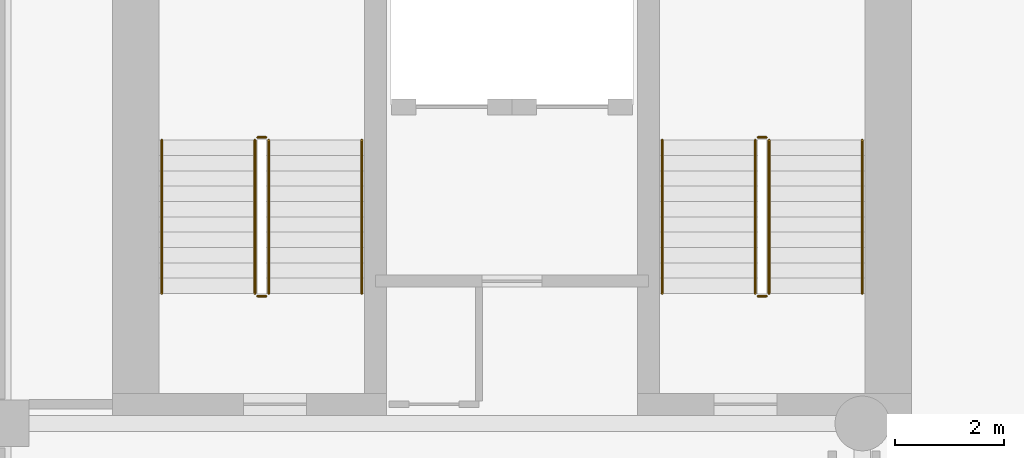
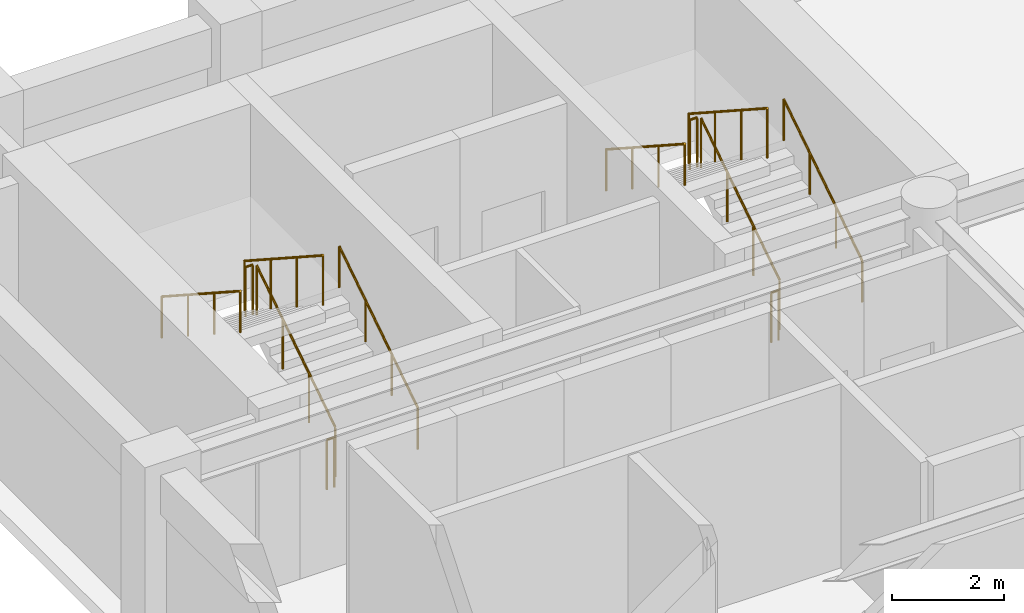
# One storey, part 7 of 8: 12 railings.
"""IFC4 building model written with IfcOpenShell, lengths in metres."""

from ifc_helpers import new_model, si_unit, direction, frame, origin, origin_2d, place, context, subcontext, project, spatial, circle, extrude, material, type_object, element, save


model = new_model("IFC4")

# Units and contexts
model_context = context("Model", 3, precision=1e-05, world=origin(), true_north=direction((0.0, 1.0)))
body_context = subcontext(model_context, "Body", "Model", "MODEL_VIEW")
ifc_project = project(units=[si_unit("LENGTHUNIT", "METRE"), si_unit("AREAUNIT", "SQUARE_METRE"), si_unit("VOLUMEUNIT", "CUBIC_METRE"), si_unit("PLANEANGLEUNIT", "RADIAN"), si_unit("MASSUNIT", "GRAM", prefix="KILO")], contexts=[model_context])

# Site, building, storey
site_placement = place(None, origin())
site = spatial("IfcSite", under=ifc_project, at=site_placement, CompositionType="ELEMENT")
building_placement = place(site_placement, origin())
building = spatial("IfcBuilding", under=site, at=building_placement, Name="Sulina Concourse Tower", CompositionType="ELEMENT")
storey_placement = place(building_placement, frame((0.0, 0.0, 128.60009765625)))
storey = spatial("IfcBuildingStorey", under=building, at=storey_placement, Name="L31", CompositionType="ELEMENT", Elevation=128.60009765625)

# Railings
ifc_material_1 = material(Name="Galvanised steel railing", Category="steel")
railing_type_1 = type_object("IfcRailingType", Name="Core Stair Steel Guardrail 1150mm", PredefinedType="GUARDRAIL", material=ifc_material_1)
railing_1_placement = place(storey_placement, frame((5.554931640625, 36.375, 0.181640625)))
element("IfcRailing", 1, at=railing_1_placement, inside=storey, type_object=railing_type_1, Name="L31 ST-1 stair guard 1", PredefinedType="GUARDRAIL", context=body_context, shape_type="SweptSolid", body=[
    extrude(circle(Radius=0.02392578125, at=origin_2d()), frame((0.0, 0.0, 1.076171875), z_axis=(0.0, 0.838672427954, 0.544636170843), x_axis=(-1.0, 0.0, 0.0)), (0.0, 0.0, 1.0), 3.338623046875),
    extrude(circle(Radius=0.02099609375, at=origin_2d()), origin(), (0.0, 0.0, 1.0), 1.052001953125),
    extrude(circle(Radius=0.02099609375, at=origin_2d()), frame((0.0, 0.933349609375, 0.606201171875)), (0.0, 0.0, 1.0), 1.052001953125),
    extrude(circle(Radius=0.02099609375, at=origin_2d()), frame((0.0, 1.86669921875, 1.212158203125)), (0.0, 0.0, 1.0), 1.052001953125),
    extrude(circle(Radius=0.02099609375, at=origin_2d()), frame((0.0, 2.800048828125, 1.818359375)), (0.0, 0.0, 1.0), 1.052001953125),
])
railing_2_placement = place(storey_placement, frame((5.5048828125, 39.22509765625, 2.0)))
element("IfcRailing", 2, at=railing_2_placement, inside=storey, type_object=railing_type_1, Name="L31 ST-1 stair guard 2", PredefinedType="GUARDRAIL", context=body_context, shape_type="SweptSolid", body=[
    extrude(circle(Radius=0.02392578125, at=origin_2d()), frame((0.0, 0.0, 1.076171875), z_axis=(-1.0, 0.0, 0.0), x_axis=(0.0, -1.0, 0.0)), (0.0, 0.0, 1.0), 0.14990234375),
    extrude(circle(Radius=0.02099609375, at=origin_2d()), origin(), (0.0, 0.0, 1.0), 1.052001953125),
    extrude(circle(Radius=0.02099609375, at=origin_2d()), frame((-0.14990234375, 0.0, 0.0)), (0.0, 0.0, 1.0), 1.052001953125),
])
railing_3_placement = place(storey_placement, frame((5.304931640625, 39.175048828125, 2.181640625)))
element("IfcRailing", 3, at=railing_3_placement, inside=storey, type_object=railing_type_1, Name="L31 ST-1 stair guard 3", PredefinedType="GUARDRAIL", context=body_context, shape_type="SweptSolid", body=[
    extrude(circle(Radius=0.02392578125, at=origin_2d()), frame((0.0, 0.0, 1.076171875), z_axis=(0.0, -0.838672427954, 0.544636170843), x_axis=(1.0, 0.0, 0.0)), (0.0, 0.0, 1.0), 3.338623046875),
    extrude(circle(Radius=0.02099609375, at=origin_2d()), origin(), (0.0, 0.0, 1.0), 1.052001953125),
    extrude(circle(Radius=0.02099609375, at=origin_2d()), frame((0.0, -0.933349609375, 0.606201171875)), (0.0, 0.0, 1.0), 1.052001953125),
    extrude(circle(Radius=0.02099609375, at=origin_2d()), frame((0.0, -1.86669921875, 1.212158203125)), (0.0, 0.0, 1.0), 1.052001953125),
    extrude(circle(Radius=0.02099609375, at=origin_2d()), frame((0.0, -2.800048828125, 1.818359375)), (0.0, 0.0, 1.0), 1.052001953125),
])
railing_4_placement = place(storey_placement, frame((5.5048828125, 36.324951171875, 0.0)))
element("IfcRailing", 4, at=railing_4_placement, inside=storey, type_object=railing_type_1, Name="L31 ST-1 stair guard 4", PredefinedType="GUARDRAIL", context=body_context, shape_type="SweptSolid", body=[
    extrude(circle(Radius=0.02392578125, at=origin_2d()), frame((0.0, 0.0, 1.076171875), z_axis=(-1.0, 0.0, 0.0), x_axis=(0.0, -1.0, 0.0)), (0.0, 0.0, 1.0), 0.14990234375),
    extrude(circle(Radius=0.02099609375, at=origin_2d()), origin(), (0.0, 0.0, 1.0), 1.052001953125),
    extrude(circle(Radius=0.02099609375, at=origin_2d()), frame((-0.14990234375, 0.0, 0.0)), (0.0, 0.0, 1.0), 1.052001953125),
])
railing_5_placement = place(storey_placement, frame((14.695068359375, 36.375, 0.181640625)))
element("IfcRailing", 5, at=railing_5_placement, inside=storey, type_object=railing_type_1, Name="L31 ST-2 stair guard 1", PredefinedType="GUARDRAIL", context=body_context, shape_type="SweptSolid", body=[
    extrude(circle(Radius=0.02392578125, at=origin_2d()), frame((0.0, 0.0, 1.076171875), z_axis=(0.0, 0.838672427954, 0.544636170843), x_axis=(-1.0, 0.0, 0.0)), (0.0, 0.0, 1.0), 3.338623046875),
    extrude(circle(Radius=0.02099609375, at=origin_2d()), origin(), (0.0, 0.0, 1.0), 1.052001953125),
    extrude(circle(Radius=0.02099609375, at=origin_2d()), frame((0.0, 0.933349609375, 0.606201171875)), (0.0, 0.0, 1.0), 1.052001953125),
    extrude(circle(Radius=0.02099609375, at=origin_2d()), frame((0.0, 1.86669921875, 1.212158203125)), (0.0, 0.0, 1.0), 1.052001953125),
    extrude(circle(Radius=0.02099609375, at=origin_2d()), frame((0.0, 2.800048828125, 1.818359375)), (0.0, 0.0, 1.0), 1.052001953125),
])
railing_6_placement = place(storey_placement, frame((14.64501953125, 39.22509765625, 2.0)))
element("IfcRailing", 6, at=railing_6_placement, inside=storey, type_object=railing_type_1, Name="L31 ST-2 stair guard 2", PredefinedType="GUARDRAIL", context=body_context, shape_type="SweptSolid", body=[
    extrude(circle(Radius=0.02392578125, at=origin_2d()), frame((0.0, 0.0, 1.076171875), z_axis=(-1.0, 0.0, 0.0), x_axis=(0.0, -1.0, 0.0)), (0.0, 0.0, 1.0), 0.14990234375),
    extrude(circle(Radius=0.02099609375, at=origin_2d()), origin(), (0.0, 0.0, 1.0), 1.052001953125),
    extrude(circle(Radius=0.02099609375, at=origin_2d()), frame((-0.14990234375, 0.0, 0.0)), (0.0, 0.0, 1.0), 1.052001953125),
])
railing_7_placement = place(storey_placement, frame((14.445068359375, 39.175048828125, 2.181640625)))
element("IfcRailing", 7, at=railing_7_placement, inside=storey, type_object=railing_type_1, Name="L31 ST-2 stair guard 3", PredefinedType="GUARDRAIL", context=body_context, shape_type="SweptSolid", body=[
    extrude(circle(Radius=0.02392578125, at=origin_2d()), frame((0.0, 0.0, 1.076171875), z_axis=(0.0, -0.838672427954, 0.544636170843), x_axis=(1.0, 0.0, 0.0)), (0.0, 0.0, 1.0), 3.338623046875),
    extrude(circle(Radius=0.02099609375, at=origin_2d()), origin(), (0.0, 0.0, 1.0), 1.052001953125),
    extrude(circle(Radius=0.02099609375, at=origin_2d()), frame((0.0, -0.933349609375, 0.606201171875)), (0.0, 0.0, 1.0), 1.052001953125),
    extrude(circle(Radius=0.02099609375, at=origin_2d()), frame((0.0, -1.86669921875, 1.212158203125)), (0.0, 0.0, 1.0), 1.052001953125),
    extrude(circle(Radius=0.02099609375, at=origin_2d()), frame((0.0, -2.800048828125, 1.818359375)), (0.0, 0.0, 1.0), 1.052001953125),
])
railing_8_placement = place(storey_placement, frame((14.64501953125, 36.324951171875, 0.0)))
element("IfcRailing", 8, at=railing_8_placement, inside=storey, type_object=railing_type_1, Name="L31 ST-2 stair guard 4", PredefinedType="GUARDRAIL", context=body_context, shape_type="SweptSolid", body=[
    extrude(circle(Radius=0.02392578125, at=origin_2d()), frame((0.0, 0.0, 1.076171875), z_axis=(-1.0, 0.0, 0.0), x_axis=(0.0, -1.0, 0.0)), (0.0, 0.0, 1.0), 0.14990234375),
    extrude(circle(Radius=0.02099609375, at=origin_2d()), origin(), (0.0, 0.0, 1.0), 1.052001953125),
    extrude(circle(Radius=0.02099609375, at=origin_2d()), frame((-0.14990234375, 0.0, 0.0)), (0.0, 0.0, 1.0), 1.052001953125),
])
ifc_material_2 = material(Name="Galvanised steel railing", Category="steel")
railing_type_2 = type_object("IfcRailingType", Name="Stair Wall Steel Handrail 920mm", PredefinedType="HANDRAIL", material=ifc_material_2)
railing_9_placement = place(storey_placement, frame((7.2548828125, 36.375, 0.181640625)))
element("IfcRailing", 9, at=railing_9_placement, inside=storey, type_object=railing_type_2, Name="L31 ST-1 stair handrail 1", PredefinedType="HANDRAIL", context=body_context, shape_type="SweptSolid", body=[
    extrude(circle(Radius=0.02392578125, at=origin_2d()), frame((0.0, 0.0, 0.89599609375), z_axis=(0.0, 0.838672427954, 0.544636170843), x_axis=(-1.0, 0.0, 0.0)), (0.0, 0.0, 1.0), 3.338623046875),
    extrude(circle(Radius=0.02099609375, at=origin_2d()), origin(), (0.0, 0.0, 1.0), 0.871826171875),
    extrude(circle(Radius=0.02099609375, at=origin_2d()), frame((0.0, 0.933349609375, 0.606201171875)), (0.0, 0.0, 1.0), 0.871826171875),
    extrude(circle(Radius=0.02099609375, at=origin_2d()), frame((0.0, 1.86669921875, 1.212158203125)), (0.0, 0.0, 1.0), 0.871826171875),
    extrude(circle(Radius=0.02099609375, at=origin_2d()), frame((0.0, 2.800048828125, 1.818359375)), (0.0, 0.0, 1.0), 0.871826171875),
])
railing_10_placement = place(storey_placement, frame((3.60498046875, 39.175048828125, 2.181640625)))
element("IfcRailing", 10, at=railing_10_placement, inside=storey, type_object=railing_type_2, Name="L31 ST-1 stair handrail 2", PredefinedType="HANDRAIL", context=body_context, shape_type="SweptSolid", body=[
    extrude(circle(Radius=0.02392578125, at=origin_2d()), frame((0.0, 0.0, 0.89599609375), z_axis=(0.0, -0.838672427954, 0.544636170843), x_axis=(1.0, 0.0, 0.0)), (0.0, 0.0, 1.0), 3.338623046875),
    extrude(circle(Radius=0.02099609375, at=origin_2d()), origin(), (0.0, 0.0, 1.0), 0.871826171875),
    extrude(circle(Radius=0.02099609375, at=origin_2d()), frame((0.0, -0.933349609375, 0.606201171875)), (0.0, 0.0, 1.0), 0.871826171875),
    extrude(circle(Radius=0.02099609375, at=origin_2d()), frame((0.0, -1.86669921875, 1.212158203125)), (0.0, 0.0, 1.0), 0.871826171875),
    extrude(circle(Radius=0.02099609375, at=origin_2d()), frame((0.0, -2.800048828125, 1.818359375)), (0.0, 0.0, 1.0), 0.871826171875),
])
railing_11_placement = place(storey_placement, frame((16.39501953125, 36.375, 0.181640625)))
element("IfcRailing", 11, at=railing_11_placement, inside=storey, type_object=railing_type_2, Name="L31 ST-2 stair handrail 1", PredefinedType="HANDRAIL", context=body_context, shape_type="SweptSolid", body=[
    extrude(circle(Radius=0.02392578125, at=origin_2d()), frame((0.0, 0.0, 0.89599609375), z_axis=(0.0, 0.838672427954, 0.544636170843), x_axis=(-1.0, 0.0, 0.0)), (0.0, 0.0, 1.0), 3.338623046875),
    extrude(circle(Radius=0.02099609375, at=origin_2d()), origin(), (0.0, 0.0, 1.0), 0.871826171875),
    extrude(circle(Radius=0.02099609375, at=origin_2d()), frame((0.0, 0.933349609375, 0.606201171875)), (0.0, 0.0, 1.0), 0.871826171875),
    extrude(circle(Radius=0.02099609375, at=origin_2d()), frame((0.0, 1.86669921875, 1.212158203125)), (0.0, 0.0, 1.0), 0.871826171875),
    extrude(circle(Radius=0.02099609375, at=origin_2d()), frame((0.0, 2.800048828125, 1.818359375)), (0.0, 0.0, 1.0), 0.871826171875),
])
railing_12_placement = place(storey_placement, frame((12.7451171875, 39.175048828125, 2.181640625)))
element("IfcRailing", 12, at=railing_12_placement, inside=storey, type_object=railing_type_2, Name="L31 ST-2 stair handrail 2", PredefinedType="HANDRAIL", context=body_context, shape_type="SweptSolid", body=[
    extrude(circle(Radius=0.02392578125, at=origin_2d()), frame((0.0, 0.0, 0.89599609375), z_axis=(0.0, -0.838672427954, 0.544636170843), x_axis=(1.0, 0.0, 0.0)), (0.0, 0.0, 1.0), 3.338623046875),
    extrude(circle(Radius=0.02099609375, at=origin_2d()), origin(), (0.0, 0.0, 1.0), 0.871826171875),
    extrude(circle(Radius=0.02099609375, at=origin_2d()), frame((0.0, -0.933349609375, 0.606201171875)), (0.0, 0.0, 1.0), 0.871826171875),
    extrude(circle(Radius=0.02099609375, at=origin_2d()), frame((0.0, -1.86669921875, 1.212158203125)), (0.0, 0.0, 1.0), 0.871826171875),
    extrude(circle(Radius=0.02099609375, at=origin_2d()), frame((0.0, -2.800048828125, 1.818359375)), (0.0, 0.0, 1.0), 0.871826171875),
])

save(model, "model.ifc")
